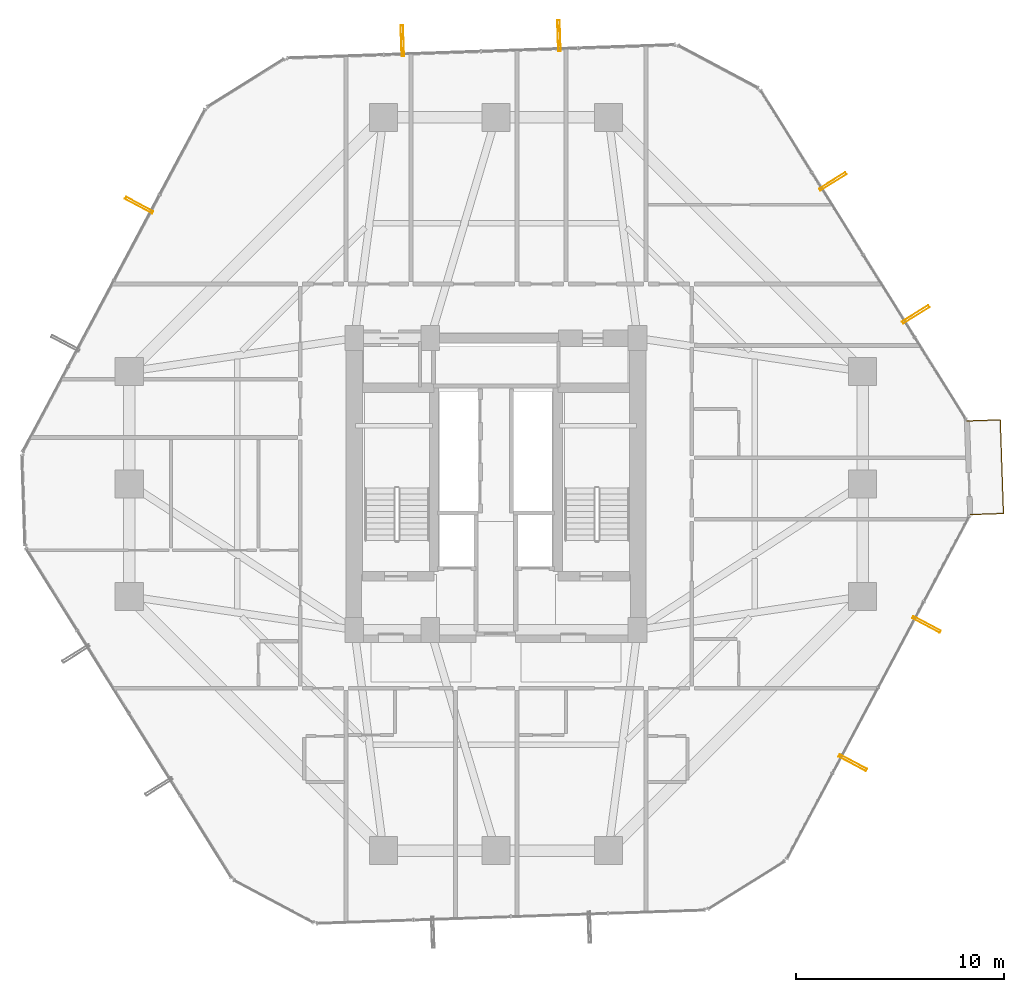
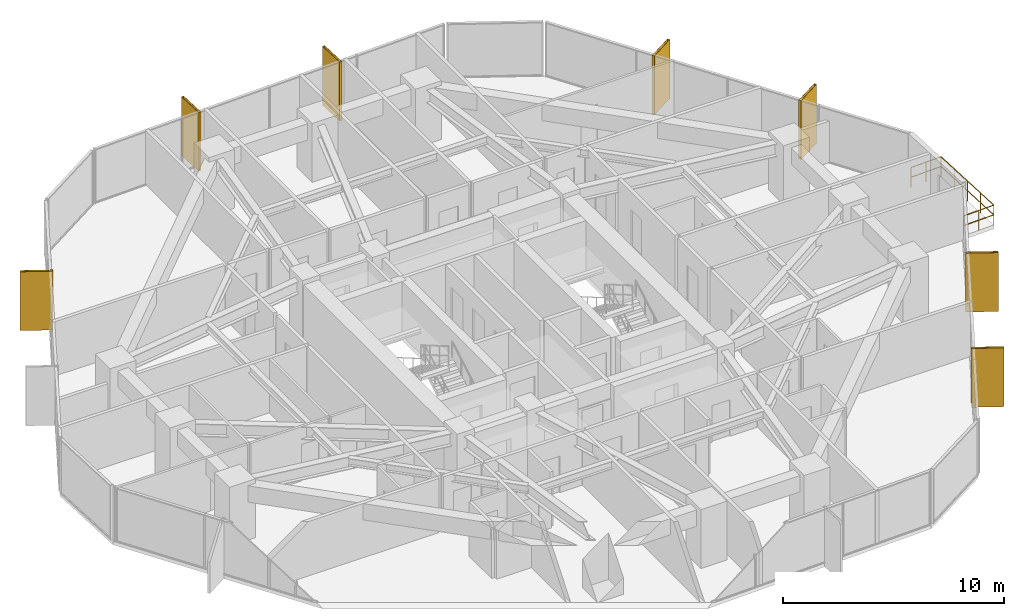
# One storey, part 39 of 39: 7 shading devices, 1 railing.
"""IFC4 building model written with IfcOpenShell, lengths in metres."""

from ifc_helpers import new_model, si_unit, direction, frame, origin, origin_2d, place, context, subcontext, project, spatial, hollow_rectangle, circle, extrude, material, material_profile, profile_set, type_object, element, save


model = new_model("IFC4")

# Units and contexts
model_context = context("Model", 3, precision=1e-05, world=origin(), true_north=direction((0.0, 1.0)))
body_context = subcontext(model_context, "Body", "Model", "MODEL_VIEW")
ifc_project = project(units=[si_unit("LENGTHUNIT", "METRE"), si_unit("AREAUNIT", "SQUARE_METRE"), si_unit("VOLUMEUNIT", "CUBIC_METRE"), si_unit("PLANEANGLEUNIT", "RADIAN"), si_unit("MASSUNIT", "GRAM", prefix="KILO")], contexts=[model_context])

# Site, building, storey
site_placement = place(None, origin())
site = spatial("IfcSite", under=ifc_project, at=site_placement, CompositionType="ELEMENT")
building_placement = place(site_placement, origin())
building = spatial("IfcBuilding", under=site, at=building_placement, Name="Veraguas Prism Commons", CompositionType="ELEMENT")
storey_placement = place(building_placement, frame((0.0, 0.0, 30.550048828125)))
storey = spatial("IfcBuildingStorey", under=building, at=storey_placement, Name="L07", CompositionType="ELEMENT", Elevation=30.550048828125)

# Shading devices
ifc_material_1 = material(Name="Anodised aluminium EN AW-6063 T6", Category="aluminium")
ifc_material_profile = material_profile(ifc_material_1, hollow_rectangle(XDim=0.1201171875, YDim=1.489990234375, WallThickness=0.006103515625, at=origin_2d()), Name="FIN120X1490X6")
ifc_profile_set = profile_set([ifc_material_profile], Name="Anodised aluminium EN AW-6063 T6")
shading_device_type = type_object("IfcShadingDeviceType", Name="Deep Pale-Metal Vertical Solar Fin 120x1490", PredefinedType="USERDEFINED", material=ifc_profile_set)
for number, where, z_axis, x_axis, name in (
    (1, (44.15478515625, 32.14208984375, -0.22998046875), (0.0, 0.0, 1.0), (-0.529328566651, 0.848416919048, 0.0), "Vertical Pale-Metal Solar Fin L07-F1A"),
    (2, (40.173583984375, 38.5234375, -0.22998046875), (0.0, 0.0, 1.0), (-0.529328566651, 0.848416919048, 0.0), "Vertical Pale-Metal Solar Fin L07-F1B"),
    (3, (27.0263671875, 45.525634765625, -0.22998046875), (0.0, 0.0, 1.0), (-0.999415007608, -0.034200037528, 0.0), "Vertical Pale-Metal Solar Fin L07-F2A"),
    (4, (19.50927734375, 45.2685546875, -0.22998046875), (0.0, 0.0, 1.0), (-0.999415007608, -0.034200037528, 0.0), "Vertical Pale-Metal Solar Fin L07-F2B"),
    (5, (6.871337890625, 37.3837890625, -0.22998046875), (0.0, 0.0, 1.0), (-0.470086321571, -0.882620445193, 0.0), "Vertical Pale-Metal Solar Fin L07-F3A"),
    (6, (41.128662109375, 10.6162109375, -0.22998046875), (0.0, 0.0, 1.0), (0.470086321571, 0.882620445193, 0.0), "Vertical Pale-Metal Solar Fin L07-F6A"),
    (7, (44.664306640625, 17.2548828125, -0.22998046875), (0.0, 0.0, 1.0), (0.470086321571, 0.882620445193, 0.0), "Vertical Pale-Metal Solar Fin L07-F6B"),
):
    element("IfcShadingDevice", number, at=place(storey_placement, frame(where, z_axis=z_axis, x_axis=x_axis)), inside=storey, type_object=shading_device_type, Name=name, ObjectType="FIN", PredefinedType="USERDEFINED", context=body_context, shape_type="SweptSolid", body=[
        extrude(hollow_rectangle(XDim=0.1201171875, YDim=1.489990234375, WallThickness=0.006103515625, at=origin_2d()), origin(), (0.0, 0.0, 1.0), 3.25),
    ])

# Railing
ifc_material_2 = material(Name="Stainless steel AISI 316", Category="steel")
railing_type = type_object("IfcRailingType", Name="Loggia and Sky Pool Glazed Balustrade 1120", PredefinedType="BALUSTRADE", material=ifc_material_2)
railing_placement = place(storey_placement, frame((46.7646484375, 22.527587890625, 0.0)))
element("IfcRailing", 8, at=railing_placement, inside=storey, type_object=railing_type, Name="Recessed Corner Loggia L07-C1 Guard", PredefinedType="BALUSTRADE", context=body_context, shape_type="SweptSolid", body=[
    extrude(circle(Radius=0.02392578125, at=origin_2d()), frame((0.0, 0.0, 1.09619140625), z_axis=(0.999410521055, 0.034330895761, 0.0), x_axis=(-0.034330895761, 0.999410521055, 0.0)), (0.0, 0.0, 1.0), 1.60009765625),
    extrude(circle(Radius=0.02392578125, at=origin_2d()), frame((0.0, 0.0, 0.56005859375), z_axis=(0.999410521055, 0.034330895761, 0.0), x_axis=(-0.034330895761, 0.999410521055, 0.0)), (0.0, 0.0, 1.0), 1.60009765625),
    extrude(circle(Radius=0.02392578125, at=origin_2d()), frame((1.59912109375, 0.054931640625, 1.09619140625), z_axis=(-0.034234304842, 0.999413834391, 0.0), x_axis=(-0.999413834391, -0.034234304842, 0.0)), (0.0, 0.0, 1.0), 4.5),
    extrude(circle(Radius=0.02392578125, at=origin_2d()), frame((1.59912109375, 0.054931640625, 0.56005859375), z_axis=(-0.034234304842, 0.999413834391, 0.0), x_axis=(-0.999413834391, -0.034234304842, 0.0)), (0.0, 0.0, 1.0), 4.5),
    extrude(circle(Radius=0.02392578125, at=origin_2d()), frame((1.445068359375, 4.55224609375, 1.09619140625), z_axis=(-0.999415744643, -0.034178492641, 0.0), x_axis=(0.034178492641, -0.999415744643, 0.0)), (0.0, 0.0, 1.0), 1.60009765625),
    extrude(circle(Radius=0.02392578125, at=origin_2d()), frame((1.445068359375, 4.55224609375, 0.56005859375), z_axis=(-0.999415744643, -0.034178492641, 0.0), x_axis=(0.034178492641, -0.999415744643, 0.0)), (0.0, 0.0, 1.0), 1.60009765625),
    extrude(circle(Radius=0.02099609375, at=origin_2d()), origin(), (0.0, 0.0, 1.0), 1.072021484375),
    extrude(circle(Radius=0.02099609375, at=origin_2d()), frame((0.799560546875, 0.02734375, 0.0)), (0.0, 0.0, 1.0), 1.072021484375),
    extrude(circle(Radius=0.02099609375, at=origin_2d()), frame((1.59912109375, 0.054931640625, 0.0)), (0.0, 0.0, 1.0), 1.072021484375),
    extrude(circle(Radius=0.02099609375, at=origin_2d()), frame((1.560546875, 1.17919921875, 0.0)), (0.0, 0.0, 1.0), 1.072021484375),
    extrude(circle(Radius=0.02099609375, at=origin_2d()), frame((1.52197265625, 2.3037109375, 0.0)), (0.0, 0.0, 1.0), 1.072021484375),
    extrude(circle(Radius=0.02099609375, at=origin_2d()), frame((1.483642578125, 3.427978515625, 0.0)), (0.0, 0.0, 1.0), 1.072021484375),
    extrude(circle(Radius=0.02099609375, at=origin_2d()), frame((1.445068359375, 4.55224609375, 0.0)), (0.0, 0.0, 1.0), 1.072021484375),
    extrude(circle(Radius=0.02099609375, at=origin_2d()), frame((0.6455078125, 4.52490234375, 0.0)), (0.0, 0.0, 1.0), 1.072021484375),
    extrude(circle(Radius=0.02099609375, at=origin_2d()), frame((-0.154052734375, 4.49755859375, 0.0)), (0.0, 0.0, 1.0), 1.072021484375),
])

save(model, "model.ifc")
